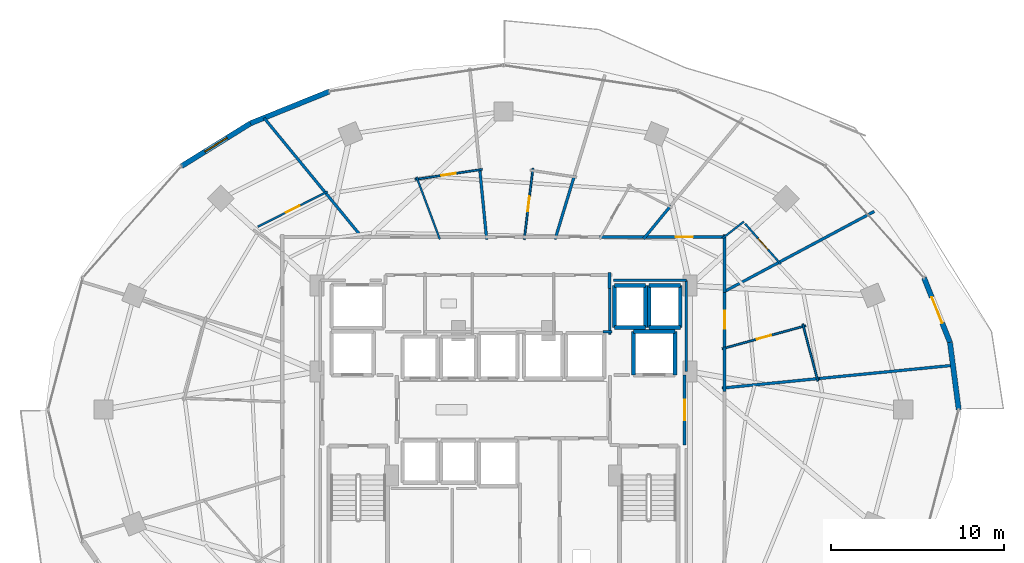
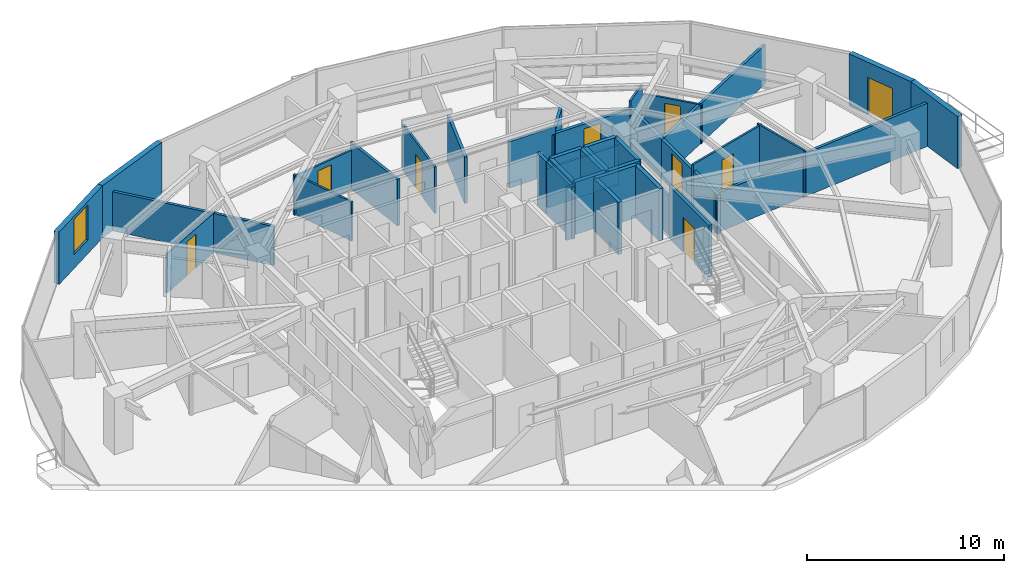
# One storey, part 25 of 29: 41 walls, 9 doors, 1 window, 10 openings.
"""IFC4 building model written with IfcOpenShell, lengths in metres."""

from ifc_helpers import new_model, si_unit, direction, frame, frame_2d, origin, place, context, subcontext, project, spatial, rectangle, extrude, material, layer, layer_set, type_object, element, fill, save


model = new_model("IFC4")

# Units and contexts
model_context = context("Model", 3, precision=1e-05, world=origin(), true_north=direction((0.0, 1.0)))
body_context = subcontext(model_context, "Body", "Model", "MODEL_VIEW")
ifc_project = project(units=[si_unit("LENGTHUNIT", "METRE"), si_unit("AREAUNIT", "SQUARE_METRE"), si_unit("VOLUMEUNIT", "CUBIC_METRE"), si_unit("PLANEANGLEUNIT", "RADIAN"), si_unit("MASSUNIT", "GRAM", prefix="KILO")], contexts=[model_context])

# Site, building, storey
site_placement = place(None, origin())
site = spatial("IfcSite", under=ifc_project, at=site_placement, CompositionType="ELEMENT")
building_placement = place(site_placement, origin())
building = spatial("IfcBuilding", under=site, at=building_placement, Name="Vorneva Point Tower", CompositionType="ELEMENT")
storey_placement = place(building_placement, frame((0.0, 0.0, 117.300048828125)))
storey = spatial("IfcBuildingStorey", under=building, at=storey_placement, Name="L31", CompositionType="ELEMENT", Elevation=117.300048828125)

# Walls
ifc_material_1 = material(Name="Concrete B60 (C50/60)", Category="concrete")
ifc_layer_1 = layer(ifc_material_1, 0.5)
ifc_layer_set_1 = layer_set([ifc_layer_1], Name="Concrete B60 (C50/60)")
wall_type_1 = type_object("IfcWallType", Name="WL-CORE-500", PredefinedType="SHEAR", material=ifc_layer_set_1)
wall_1_placement = place(storey_placement, frame((47.89990234375, 28.0, 0.0), z_axis=(0.0, 0.0, 1.0), x_axis=(0.0, 1.0, 0.0)))
element("IfcWall", 1, at=wall_1_placement, inside=storey, type_object=wall_type_1, Name="L31 Lift FFL2 Shaft Wall +X", PredefinedType="SHEAR", context=body_context, shape_type="SweptSolid", body=[
    extrude(rectangle(XDim=2.5, YDim=0.219970703125, at=frame_2d((1.25, 0.0))), origin(), (0.0, 0.0, 1.0), 3.239990234375),
])
wall_2_placement = place(storey_placement, frame((47.89990234375, 30.5, 0.0), z_axis=(0.0, 0.0, 1.0), x_axis=(-1.0, 0.0, 0.0)))
element("IfcWall", 2, at=wall_2_placement, inside=storey, type_object=wall_type_1, Name="L31 Lift FFL2 Shaft Wall +Y", PredefinedType="SHEAR", context=body_context, shape_type="SweptSolid", body=[
    extrude(rectangle(XDim=2.39990234375, YDim=0.219970703125, at=frame_2d((1.199951171875, 0.0))), origin(), (0.0, 0.0, 1.0), 3.239990234375),
])
wall_3_placement = place(storey_placement, frame((45.5, 30.5, 0.0), z_axis=(0.0, 0.0, 1.0), x_axis=(0.0, -1.0, 0.0)))
element("IfcWall", 3, at=wall_3_placement, inside=storey, type_object=wall_type_1, Name="L31 Lift FFL2 Shaft Wall -X", PredefinedType="SHEAR", context=body_context, shape_type="SweptSolid", body=[
    extrude(rectangle(XDim=2.5, YDim=0.219970703125, at=frame_2d((1.25, 0.0))), origin(), (0.0, 0.0, 1.0), 3.239990234375),
])
ifc_material_2 = material(Name="Precast concrete B50 (C40/50)", Category="concrete")
ifc_layer_2 = layer(ifc_material_2, 0.300048828125)
ifc_layer_set_2 = layer_set([ifc_layer_2], Name="Precast concrete B50 (C40/50)")
wall_type_2 = type_object("IfcWallType", Name="WL-EXT-300", PredefinedType="STANDARD", material=ifc_layer_set_2)
wall_4_placement = place(storey_placement, frame((64.25, 26.0, 0.0), z_axis=(0.0, 0.0, 1.0), x_axis=(-0.129157444793, 0.991624099372, 0.0)))
element("IfcWall", 4, at=wall_4_placement, inside=storey, type_object=wall_type_2, Name="L31 Pale-Metal Facade Spandrel Wall 01.1", PredefinedType="STANDARD", context=body_context, shape_type="SweptSolid", body=[
    extrude(rectangle(XDim=3.9052734375, YDim=0.300048828125, at=frame_2d((1.95263671875, 0.0))), origin(), (0.0, 0.0, 1.0), 3.239990234375),
])

# Wall, opening, door
wall_5_placement = place(storey_placement, frame((63.74560546875, 29.87255859375, 0.0), z_axis=(0.0, 0.0, 1.0), x_axis=(-0.372345205928, 0.92809430966, 0.0)))
wall_5 = element("IfcWall", 5, at=wall_5_placement, inside=storey, type_object=wall_type_2, Name="L31 Pale-Metal Facade Spandrel Wall 01.2", PredefinedType="STANDARD", context=body_context, shape_type="SweptSolid", body=[
    extrude(rectangle(XDim=4.01220703125, YDim=0.300048828125, at=frame_2d((2.006103515625, 0.0))), origin(), (0.0, 0.0, 1.0), 3.239990234375),
])
opening_1_placement = place(wall_5_placement, frame((1.2060546875, 0.0, 0.0)))
opening_1 = element("IfcOpeningElement", 6, at=opening_1_placement, cuts=wall_5, Name="Opening BD-01", PredefinedType="OPENING", context=body_context, shape_type="SweptSolid", body=[
    extrude(rectangle(XDim=1.60009765625, YDim=2.300048828125, at=frame_2d((0.800048828125, 1.14990234375))), frame((0.0, 0.1650390625, 0.0), z_axis=(0.0, -1.0, 0.0), x_axis=(1.0, 0.0, 0.0)), (0.0, 0.0, 1.0), 0.329833984375),
])
ifc_material_3 = material(Name="Pale anodised aluminium", Category="aluminium")
door_type_1 = type_object("IfcDoorType", Name="DR-BAL-1600", OperationType="SLIDING_TO_LEFT", PredefinedType="DOOR", material=ifc_material_3)
door_1_placement = place(opening_1_placement, origin())
door_1 = element("IfcDoor", 7, at=door_1_placement, inside=storey, type_object=door_type_1, Name="L31 Balcony Terrace Access Door 01", OperationType="SLIDING_TO_LEFT", OverallHeight=2.300048828125, OverallWidth=1.60009765625, PredefinedType="DOOR", context=body_context, shape_type="SweptSolid", body=[
    extrude(rectangle(XDim=1.60009765625, YDim=2.300048828125, at=frame_2d((0.800048828125, 1.14990234375))), frame((0.0, 0.02490234375, 0.0), z_axis=(0.0, -1.0, 0.0), x_axis=(1.0, 0.0, 0.0)), (0.0, 0.0, 1.0), 0.050048828125),
])
fill(opening_1, door_1)

# Wall
wall_6_placement = place(storey_placement, frame((27.95458984375, 44.339111328125, 0.0), z_axis=(0.0, 0.0, 1.0), x_axis=(-0.927122233109, -0.374759075775, 0.0)))
element("IfcWall", 8, at=wall_6_placement, inside=storey, type_object=wall_type_2, Name="L31 Pale-Metal Facade Spandrel Wall 06.1", PredefinedType="STANDARD", context=body_context, shape_type="SweptSolid", body=[
    extrude(rectangle(XDim=4.89501953125, YDim=0.300048828125, at=frame_2d((2.447509765625, 0.0))), origin(), (0.0, 0.0, 1.0), 3.239990234375),
])

# Wall, opening, window
wall_7_placement = place(storey_placement, frame((23.416259765625, 42.504638671875, 0.0), z_axis=(0.0, 0.0, 1.0), x_axis=(-0.849684479743, -0.527291461038, 0.0)))
wall_7 = element("IfcWall", 9, at=wall_7_placement, inside=storey, type_object=wall_type_2, Name="L31 Pale-Metal Facade Spandrel Wall 06.2", PredefinedType="STANDARD", context=body_context, shape_type="SweptSolid", body=[
    extrude(rectangle(XDim=4.681396484375, YDim=0.300048828125, at=frame_2d((2.3408203125, 0.0))), origin(), (0.0, 0.0, 1.0), 3.239990234375),
])
opening_2_placement = place(wall_7_placement, frame((1.5908203125, 0.0, 0.85009765625)))
opening_2 = element("IfcOpeningElement", 10, at=opening_2_placement, cuts=wall_7, Name="Opening W-02", PredefinedType="OPENING", context=body_context, shape_type="SweptSolid", body=[
    extrude(rectangle(XDim=1.5, YDim=2.18994140625, at=frame_2d((0.75, 1.094970703125))), frame((0.0, 0.1650390625, 0.0), z_axis=(0.0, -1.0, 0.0), x_axis=(1.0, 0.0, 0.0)), (0.0, 0.0, 1.0), 0.329833984375),
])
ifc_material_4 = material(Name="Double low-e laminated glass IGU", Category="glass")
window_type = type_object("IfcWindowType", Name="WN-HTL-1500", PartitioningType="SINGLE_PANEL", PredefinedType="WINDOW", material=ifc_material_4)
window_placement = place(opening_2_placement, origin())
window = element("IfcWindow", 11, at=window_placement, inside=storey, type_object=window_type, Name="L31 Facade Window 06", OverallHeight=2.18994140625, OverallWidth=1.5, PartitioningType="SINGLE_PANEL", PredefinedType="WINDOW", context=body_context, shape_type="SweptSolid", body=[
    extrude(rectangle(XDim=1.5, YDim=2.18994140625, at=frame_2d((0.75, 1.094970703125))), frame((0.0, 0.030029296875, 0.0), z_axis=(0.0, -1.0, 0.0), x_axis=(1.0, 0.0, 0.0)), (0.0, 0.0, 1.0), 0.06005859375),
])
fill(opening_2, window)

# Wall
ifc_material_5 = material(Name="Fire-rated acoustic gypsum stud partition", Category="gypsum")
ifc_layer_3 = layer(ifc_material_5, 0.110107421875)
ifc_layer_set_3 = layer_set([ifc_layer_3], Name="Fire-rated acoustic gypsum stud partition")
wall_type_3 = type_object("IfcWallType", Name="WL-PART-110", PredefinedType="PARTITIONING", material=ifc_layer_set_3)
wall_8_placement = place(storey_placement, frame((55.260498046875, 30.9404296875, 0.0), z_axis=(0.0, 0.0, 1.0), x_axis=(0.254323935255, -0.967119090886, 0.0)))
element("IfcWall", 12, at=wall_8_placement, inside=storey, type_object=wall_type_3, Name="L31 Interior Partition 050", PredefinedType="PARTITIONING", context=body_context, shape_type="SweptSolid", body=[
    extrude(rectangle(XDim=3.406005859375, YDim=0.110107421875, at=frame_2d((1.703125, 0.0))), origin(), (0.0, 0.0, 1.0), 2.928955078125),
])

# Wall, opening, door
wall_9_placement = place(storey_placement, frame((50.614990234375, 29.50439453125, 0.0), z_axis=(0.0, 0.0, 1.0), x_axis=(0.963498313434, 0.267714400078, 0.0)))
wall_9 = element("IfcWall", 13, at=wall_9_placement, inside=storey, type_object=wall_type_3, Name="L31 Interior Partition 051", PredefinedType="PARTITIONING", context=body_context, shape_type="SweptSolid", body=[
    extrude(rectangle(XDim=4.998291015625, YDim=0.110107421875, at=frame_2d((2.4990234375, 0.0))), origin(), (0.0, 0.0, 1.0), 2.8740234375),
])
opening_3_placement = place(wall_9_placement, frame((2.07421875, 0.0, 0.0)))
opening_3 = element("IfcOpeningElement", 14, at=opening_3_placement, cuts=wall_9, Name="Opening ID-02", PredefinedType="OPENING", context=body_context, shape_type="SweptSolid", body=[
    extrude(rectangle(XDim=0.85009765625, YDim=2.10009765625, at=frame_2d((0.425048828125, 1.050048828125))), frame((0.0, 0.06982421875, 0.0), z_axis=(0.0, -1.0, 0.0), x_axis=(1.0, 0.0, 0.0)), (0.0, 0.0, 1.0), 0.139892578125),
])
ifc_material_6 = material(Name="Engineered oak fire-rated door leaf", Category="wood")
door_type_2 = type_object("IfcDoorType", Name="DR-BATH-850", OperationType="NOTDEFINED", PredefinedType="DOOR", material=ifc_material_6)
door_2_placement = place(opening_3_placement, origin())
door_2 = element("IfcDoor", 15, at=door_2_placement, inside=storey, type_object=door_type_2, Name="L31 Door Junior Suite L31-01 / En-Suite Bathroom L31-01", OperationType="SINGLE_SWING_LEFT", OverallHeight=2.10009765625, OverallWidth=0.85009765625, PredefinedType="DOOR", context=body_context, shape_type="SweptSolid", body=[
    extrude(rectangle(XDim=0.85009765625, YDim=2.10009765625, at=frame_2d((0.425048828125, 1.050048828125))), frame((0.0, 0.02490234375, 0.0), z_axis=(0.0, -1.0, 0.0), x_axis=(1.0, 0.0, 0.0)), (0.0, 0.0, 1.0), 0.050048828125),
])
fill(opening_3, door_2)

wall_10_placement = place(storey_placement, frame((51.936279296875, 36.7138671875, 0.0), z_axis=(0.0, 0.0, 1.0), x_axis=(0.662322264705, -0.749219071885, 0.0)))
wall_10 = element("IfcWall", 16, at=wall_10_placement, inside=storey, type_object=wall_type_3, Name="L31 Interior Partition 055", PredefinedType="PARTITIONING", context=body_context, shape_type="SweptSolid", body=[
    extrude(rectangle(XDim=3.098876953125, YDim=0.110107421875, at=frame_2d((1.54931640625, 0.0))), origin(), (0.0, 0.0, 1.0), 2.431884765625),
])
opening_4_placement = place(wall_10_placement, frame((1.12451171875, 0.0, 0.0)))
opening_4 = element("IfcOpeningElement", 17, at=opening_4_placement, cuts=wall_10, Name="Opening ID-02", PredefinedType="OPENING", context=body_context, shape_type="SweptSolid", body=[
    extrude(rectangle(XDim=0.85009765625, YDim=2.10009765625, at=frame_2d((0.425048828125, 1.050048828125))), frame((0.0, 0.06982421875, 0.0), z_axis=(0.0, -1.0, 0.0), x_axis=(1.0, 0.0, 0.0)), (0.0, 0.0, 1.0), 0.139892578125),
])
door_3_placement = place(opening_4_placement, origin())
door_3 = element("IfcDoor", 18, at=door_3_placement, inside=storey, type_object=door_type_2, Name="L31 Door King Guest Room L31-02 / En-Suite Bathroom L31-02", OperationType="SINGLE_SWING_RIGHT", OverallHeight=2.10009765625, OverallWidth=0.85009765625, PredefinedType="DOOR", context=body_context, shape_type="SweptSolid", body=[
    extrude(rectangle(XDim=0.85009765625, YDim=2.10009765625, at=frame_2d((0.425048828125, 1.050048828125))), frame((0.0, 0.02490234375, 0.0), z_axis=(0.0, -1.0, 0.0), x_axis=(1.0, 0.0, 0.0)), (0.0, 0.0, 1.0), 0.050048828125),
])
fill(opening_4, door_3)

# Wall
wall_11_placement = place(storey_placement, frame((50.61376953125, 35.86376953125, 0.0), z_axis=(0.0, 0.0, 1.0), x_axis=(0.787635392766, 0.616141613643, 0.0)))
element("IfcWall", 19, at=wall_11_placement, inside=storey, type_object=wall_type_3, Name="L31 Interior Partition 056", PredefinedType="PARTITIONING", context=body_context, shape_type="SweptSolid", body=[
    extrude(rectangle(XDim=1.580322265625, YDim=0.110107421875, at=frame_2d((0.7900390625, 0.0))), origin(), (0.0, 0.0, 1.0), 2.928955078125),
])

# Wall, opening, door
wall_12_placement = place(storey_placement, frame((39.199951171875, 35.81103515625, 0.0), z_axis=(0.0, 0.0, 1.0), x_axis=(0.121465313896, 0.992595676759, 0.0)))
wall_12 = element("IfcWall", 20, at=wall_12_placement, inside=storey, type_object=wall_type_3, Name="L31 Interior Partition 063", PredefinedType="PARTITIONING", context=body_context, shape_type="SweptSolid", body=[
    extrude(rectangle(XDim=4.140625, YDim=0.110107421875, at=frame_2d((2.0703125, 0.0))), origin(), (0.0, 0.0, 1.0), 2.8740234375),
])
opening_5_placement = place(wall_12_placement, frame((1.645263671875, 0.0, 0.0)))
opening_5 = element("IfcOpeningElement", 21, at=opening_5_placement, cuts=wall_12, Name="Opening ID-02", PredefinedType="OPENING", context=body_context, shape_type="SweptSolid", body=[
    extrude(rectangle(XDim=0.85009765625, YDim=2.10009765625, at=frame_2d((0.425048828125, 1.050048828125))), frame((0.0, 0.06982421875, 0.0), z_axis=(0.0, -1.0, 0.0), x_axis=(1.0, 0.0, 0.0)), (0.0, 0.0, 1.0), 0.139892578125),
])
door_4_placement = place(opening_5_placement, origin())
door_4 = element("IfcDoor", 22, at=door_4_placement, inside=storey, type_object=door_type_2, Name="L31 Door Deluxe Guest Room L31-04 / En-Suite Bathroom L31-04", OperationType="SINGLE_SWING_RIGHT", OverallHeight=2.10009765625, OverallWidth=0.85009765625, PredefinedType="DOOR", context=body_context, shape_type="SweptSolid", body=[
    extrude(rectangle(XDim=0.85009765625, YDim=2.10009765625, at=frame_2d((0.425048828125, 1.050048828125))), frame((0.0, 0.02490234375, 0.0), z_axis=(0.0, -1.0, 0.0), x_axis=(1.0, 0.0, 0.0)), (0.0, 0.0, 1.0), 0.050048828125),
])
fill(opening_5, door_4)

# Wall
wall_13_placement = place(storey_placement, frame((34.333984375, 35.81884765625, 0.0), z_axis=(0.0, 0.0, 1.0), x_axis=(-0.349780170638, 0.93683180573, 0.0)))
element("IfcWall", 23, at=wall_13_placement, inside=storey, type_object=wall_type_3, Name="L31 Interior Partition 067", PredefinedType="PARTITIONING", context=body_context, shape_type="SweptSolid", body=[
    extrude(rectangle(XDim=3.84521484375, YDim=0.110107421875, at=frame_2d((1.922607421875, 0.0))), origin(), (0.0, 0.0, 1.0), 2.431884765625),
])

# Wall, opening, door
wall_14_placement = place(storey_placement, frame((32.899658203125, 39.269287109375, 0.0), z_axis=(0.0, 0.0, 1.0), x_axis=(0.988898406133, 0.148593210973, 0.0)))
wall_14 = element("IfcWall", 24, at=wall_14_placement, inside=storey, type_object=wall_type_3, Name="L31 Interior Partition 068", PredefinedType="PARTITIONING", context=body_context, shape_type="SweptSolid", body=[
    extrude(rectangle(XDim=3.920166015625, YDim=0.110107421875, at=frame_2d((1.9599609375, 0.0))), origin(), (0.0, 0.0, 1.0), 2.431884765625),
])
opening_6_placement = place(wall_14_placement, frame((1.53515625, 0.0, 0.0)))
opening_6 = element("IfcOpeningElement", 25, at=opening_6_placement, cuts=wall_14, Name="Opening ID-02", PredefinedType="OPENING", context=body_context, shape_type="SweptSolid", body=[
    extrude(rectangle(XDim=0.85009765625, YDim=2.10009765625, at=frame_2d((0.425048828125, 1.050048828125))), frame((0.0, 0.06982421875, 0.0), z_axis=(0.0, -1.0, 0.0), x_axis=(1.0, 0.0, 0.0)), (0.0, 0.0, 1.0), 0.139892578125),
])
door_5_placement = place(opening_6_placement, origin())
door_5 = element("IfcDoor", 26, at=door_5_placement, inside=storey, type_object=door_type_2, Name="L31 Door Executive Suite L31-05 / En-Suite Bathroom L31-05", OperationType="SINGLE_SWING_LEFT", OverallHeight=2.10009765625, OverallWidth=0.85009765625, PredefinedType="DOOR", context=body_context, shape_type="SweptSolid", body=[
    extrude(rectangle(XDim=0.85009765625, YDim=2.10009765625, at=frame_2d((0.425048828125, 1.050048828125))), frame((0.0, 0.02490234375, 0.0), z_axis=(0.0, -1.0, 0.0), x_axis=(1.0, 0.0, 0.0)), (0.0, 0.0, 1.0), 0.050048828125),
])
fill(opening_6, door_5)

wall_15_placement = place(storey_placement, frame((23.845947265625, 36.5458984375, 0.0), z_axis=(0.0, 0.0, 1.0), x_axis=(0.892540033684, 0.450968167692, 0.0)))
wall_15 = element("IfcWall", 27, at=wall_15_placement, inside=storey, type_object=wall_type_3, Name="L31 Interior Partition 070", PredefinedType="PARTITIONING", context=body_context, shape_type="SweptSolid", body=[
    extrude(rectangle(XDim=4.494873046875, YDim=0.110107421875, at=frame_2d((2.24755859375, 0.0))), origin(), (0.0, 0.0, 1.0), 2.431884765625),
])
opening_7_placement = place(wall_15_placement, frame((1.822509765625, 0.0, 0.0)))
opening_7 = element("IfcOpeningElement", 28, at=opening_7_placement, cuts=wall_15, Name="Opening ID-02", PredefinedType="OPENING", context=body_context, shape_type="SweptSolid", body=[
    extrude(rectangle(XDim=0.85009765625, YDim=2.10009765625, at=frame_2d((0.425048828125, 1.050048828125))), frame((0.0, 0.06982421875, 0.0), z_axis=(0.0, -1.0, 0.0), x_axis=(1.0, 0.0, 0.0)), (0.0, 0.0, 1.0), 0.139892578125),
])
door_6_placement = place(opening_7_placement, origin())
door_6 = element("IfcDoor", 29, at=door_6_placement, inside=storey, type_object=door_type_2, Name="L31 Door Corner Suite L31-06 / En-Suite Bathroom L31-06", OperationType="SINGLE_SWING_RIGHT", OverallHeight=2.10009765625, OverallWidth=0.85009765625, PredefinedType="DOOR", context=body_context, shape_type="SweptSolid", body=[
    extrude(rectangle(XDim=0.85009765625, YDim=2.10009765625, at=frame_2d((0.425048828125, 1.050048828125))), frame((0.0, 0.02490234375, 0.0), z_axis=(0.0, -1.0, 0.0), x_axis=(1.0, 0.0, 0.0)), (0.0, 0.0, 1.0), 0.050048828125),
])
fill(opening_7, door_6)

# Walls
ifc_layer_4 = layer(ifc_material_5, 0.139892578125)
ifc_layer_set_4 = layer_set([ifc_layer_4], Name="Fire-rated acoustic gypsum stud partition")
wall_type_4 = type_object("IfcWallType", Name="WL-PART-140", PredefinedType="PARTITIONING", material=ifc_layer_set_4)
wall_16_placement = place(storey_placement, frame((43.735107421875, 30.47998046875, 0.0), z_axis=(0.0, 0.0, 1.0), x_axis=(1.0, 0.0, 0.0)))
element("IfcWall", 30, at=wall_16_placement, inside=storey, type_object=wall_type_4, Name="L31 Interior Closure Partition 095", PredefinedType="PARTITIONING", context=body_context, shape_type="SweptSolid", body=[
    extrude(rectangle(XDim=0.52490234375, YDim=0.139892578125, at=frame_2d((0.262451171875, 0.0))), origin(), (0.0, 0.0, 1.0), 3.239990234375),
])
wall_17_placement = place(storey_placement, frame((44.1201171875, 30.340087890625, 0.0), z_axis=(0.0, 0.0, 1.0), x_axis=(0.0, 1.0, 0.0)))
element("IfcWall", 31, at=wall_17_placement, inside=storey, type_object=wall_type_4, Name="L31 Interior Closure Partition 096", PredefinedType="PARTITIONING", context=body_context, shape_type="SweptSolid", body=[
    extrude(rectangle(XDim=2.659912109375, YDim=0.139892578125, at=frame_2d((1.330078125, 0.0))), origin(), (0.0, 0.0, 1.0), 3.239990234375),
])
wall_18_placement = place(storey_placement, frame((44.340087890625, 33.449951171875, 0.0), z_axis=(0.0, 0.0, 1.0), x_axis=(1.0, 0.0, 0.0)))
element("IfcWall", 32, at=wall_18_placement, inside=storey, type_object=wall_type_4, Name="L31 Interior Closure Partition 099", PredefinedType="PARTITIONING", context=body_context, shape_type="SweptSolid", body=[
    extrude(rectangle(XDim=4.2099609375, YDim=0.139892578125, at=frame_2d((2.10498046875, 0.0))), origin(), (0.0, 0.0, 1.0), 2.431884765625),
])
wall_19_placement = place(storey_placement, frame((48.550048828125, 33.449951171875, 0.0), z_axis=(0.0, 0.0, 1.0), x_axis=(0.0, -1.0, 0.0)))
element("IfcWall", 33, at=wall_19_placement, inside=storey, type_object=wall_type_4, Name="L31 Interior Closure Partition 100", PredefinedType="PARTITIONING", context=body_context, shape_type="SweptSolid", body=[
    extrude(rectangle(XDim=5.25390625, YDim=0.139892578125, at=frame_2d((2.626953125, 0.0))), origin(), (0.0, 0.0, 1.0), 2.431884765625),
])
ifc_layer_5 = layer(ifc_material_5, 0.159912109375)
ifc_layer_set_5 = layer_set([ifc_layer_5], Name="Fire-rated acoustic gypsum stud partition")
wall_type_5 = type_object("IfcWallType", Name="WL-PART-160", PredefinedType="PARTITIONING", material=ifc_layer_set_5)
wall_20_placement = place(storey_placement, frame((59.384033203125, 37.429931640625, 0.0), z_axis=(0.0, 0.0, 1.0), x_axis=(-0.881921122551, -0.471397002109, 0.0)))
element("IfcWall", 34, at=wall_20_placement, inside=storey, type_object=wall_type_5, Name="L31 Interior Partition 052", PredefinedType="PARTITIONING", context=body_context, shape_type="SweptSolid", body=[
    extrude(rectangle(XDim=9.7900390625, YDim=0.159912109375, at=frame_2d((4.89501953125, 0.0))), origin(), (0.0, 0.0, 1.0), 2.431884765625),
])
wall_21_placement = place(storey_placement, frame((56.091064453125, 27.781982421875, 0.0), z_axis=(0.0, 0.0, 1.0), x_axis=(0.995182127762, 0.098043523927, 0.0)))
element("IfcWall", 35, at=wall_21_placement, inside=storey, type_object=wall_type_5, Name="L31 Interior Partition 053", PredefinedType="PARTITIONING", context=body_context, shape_type="SweptSolid", body=[
    extrude(rectangle(XDim=7.86376953125, YDim=0.159912109375, at=frame_2d((3.931884765625, 0.0))), origin(), (0.0, 0.0, 1.0), 2.677001953125),
])
wall_22_placement = place(storey_placement, frame((50.610595703125, 27.2421875, 0.0), z_axis=(0.0, 0.0, 1.0), x_axis=(0.995185043486, 0.098013923607, 0.0)))
element("IfcWall", 36, at=wall_22_placement, inside=storey, type_object=wall_type_5, Name="L31 Interior Partition 054", PredefinedType="PARTITIONING", context=body_context, shape_type="SweptSolid", body=[
    extrude(rectangle(XDim=5.646728515625, YDim=0.159912109375, at=frame_2d((2.8232421875, 0.0))), origin(), (0.0, 0.0, 1.0), 2.431884765625),
])
wall_23_placement = place(storey_placement, frame((47.65478515625, 37.764404296875, 0.0), z_axis=(0.0, 0.0, 1.0), x_axis=(-0.634343688691, -0.773051152653, 0.0)))
element("IfcWall", 37, at=wall_23_placement, inside=storey, type_object=wall_type_5, Name="L31 Interior Partition 058", PredefinedType="PARTITIONING", context=body_context, shape_type="SweptSolid", body=[
    extrude(rectangle(XDim=2.487060546875, YDim=0.159912109375, at=frame_2d((1.24365234375, 0.0))), origin(), (0.0, 0.0, 1.0), 2.431884765625),
])
wall_24_placement = place(storey_placement, frame((42.0947265625, 39.498779296875, 0.0), z_axis=(0.0, 0.0, 1.0), x_axis=(-0.290343654158, -0.956922443299, 0.0)))
element("IfcWall", 38, at=wall_24_placement, inside=storey, type_object=wall_type_5, Name="L31 Interior Partition 062", PredefinedType="PARTITIONING", context=body_context, shape_type="SweptSolid", body=[
    extrude(rectangle(XDim=3.8486328125, YDim=0.159912109375, at=frame_2d((1.92431640625, 0.0))), origin(), (0.0, 0.0, 1.0), 2.8740234375),
])
wall_25_placement = place(storey_placement, frame((36.630126953125, 39.910400390625, 0.0), z_axis=(0.0, 0.0, 1.0), x_axis=(0.097966212623, -0.995189741298, 0.0)))
element("IfcWall", 39, at=wall_25_placement, inside=storey, type_object=wall_type_5, Name="L31 Interior Partition 066", PredefinedType="PARTITIONING", context=body_context, shape_type="SweptSolid", body=[
    extrude(rectangle(XDim=4.119384765625, YDim=0.159912109375, at=frame_2d((2.0595703125, 0.0))), origin(), (0.0, 0.0, 1.0), 2.8740234375),
])
wall_26_placement = place(storey_placement, frame((24.197998046875, 42.818115234375, 0.0), z_axis=(0.0, 0.0, 1.0), x_axis=(0.634354930471, -0.773041927833, 0.0)))
element("IfcWall", 40, at=wall_26_placement, inside=storey, type_object=wall_type_5, Name="L31 Interior Partition 069", PredefinedType="PARTITIONING", context=body_context, shape_type="SweptSolid", body=[
    extrude(rectangle(XDim=8.884521484375, YDim=0.159912109375, at=frame_2d((4.4423828125, 0.0))), origin(), (0.0, 0.0, 1.0), 2.431884765625),
])

# Wall, opening, door
ifc_material_7 = material(Name="Autoclaved aerated concrete blockwork", Category="masonry")
ifc_layer_6 = layer(ifc_material_7, 0.179931640625)
ifc_layer_set_6 = layer_set([ifc_layer_6], Name="Autoclaved aerated concrete blockwork")
wall_type_6 = type_object("IfcWallType", Name="WL-PART-180", PredefinedType="PARTITIONING", material=ifc_layer_set_6)
wall_27_placement = place(storey_placement, frame((48.449951171875, 23.949951171875, 0.0), z_axis=(0.0, 0.0, 1.0), x_axis=(0.0, 1.0, 0.0)))
wall_27 = element("IfcWall", 41, at=wall_27_placement, inside=storey, type_object=wall_type_6, Name="L31 Interior Partition 005", PredefinedType="PARTITIONING", context=body_context, shape_type="SweptSolid", body=[
    extrude(rectangle(XDim=4.050048828125, YDim=0.179931640625, at=frame_2d((2.02490234375, 0.0))), origin(), (0.0, 0.0, 1.0), 3.239990234375),
])
opening_8_placement = place(wall_27_placement, frame((1.425048828125, 0.0, 0.0)))
opening_8 = element("IfcOpeningElement", 42, at=opening_8_placement, cuts=wall_27, Name="Opening FD-02", PredefinedType="OPENING", context=body_context, shape_type="SweptSolid", body=[
    extrude(rectangle(XDim=1.199951171875, YDim=2.14990234375, at=frame_2d((0.60009765625, 1.074951171875))), frame((0.0, 0.10498046875, 0.0), z_axis=(0.0, -1.0, 0.0), x_axis=(1.0, 0.0, 0.0)), (0.0, 0.0, 1.0), 0.209716796875),
])
ifc_material_8 = material(Name="Fire-rated powder-coated steel", Category="steel")
door_type_3 = type_object("IfcDoorType", Name="DR-FFL-1200", OperationType="NOTDEFINED", PredefinedType="DOOR", material=ifc_material_8)
door_7_placement = place(opening_8_placement, origin())
door_7 = element("IfcDoor", 43, at=door_7_placement, inside=storey, type_object=door_type_3, Name="L31 Door East Firefighting Lobby / L31 Circulation Corridor", OperationType="SINGLE_SWING_LEFT", OverallHeight=2.14990234375, OverallWidth=1.199951171875, PredefinedType="DOOR", context=body_context, shape_type="SweptSolid", body=[
    extrude(rectangle(XDim=1.199951171875, YDim=2.14990234375, at=frame_2d((0.60009765625, 1.074951171875))), frame((0.0, 0.02490234375, 0.0), z_axis=(0.0, -1.0, 0.0), x_axis=(1.0, 0.0, 0.0)), (0.0, 0.0, 1.0), 0.050048828125),
])
fill(opening_8, door_7)

# Wall
wall_28_placement = place(storey_placement, frame((44.1201171875, 32.969970703125, 0.0), z_axis=(0.0, 0.0, 1.0), x_axis=(0.0, 1.0, 0.0)))
element("IfcWall", 44, at=wall_28_placement, inside=storey, type_object=wall_type_6, Name="L31 Interior Partition 020", PredefinedType="PARTITIONING", context=body_context, shape_type="SweptSolid", body=[
    extrude(rectangle(XDim=0.929931640625, YDim=0.179931640625, at=frame_2d((0.46484375, 0.0))), origin(), (0.0, 0.0, 1.0), 3.239990234375),
])

# Wall, opening, door
wall_29_placement = place(storey_placement, frame((50.75, 29.48193359375, 0.0), z_axis=(0.0, 0.0, 1.0), x_axis=(0.0, 1.0, 0.0)))
wall_29 = element("IfcWall", 45, at=wall_29_placement, inside=storey, type_object=wall_type_6, Name="L31 Interior Partition 024", PredefinedType="PARTITIONING", context=body_context, shape_type="SweptSolid", body=[
    extrude(rectangle(XDim=3.401123046875, YDim=0.179931640625, at=frame_2d((1.70068359375, 0.0))), origin(), (0.0, 0.0, 1.0), 2.431884765625),
])
opening_9_placement = place(wall_29_placement, frame((1.175537109375, 0.0, 0.0)))
opening_9 = element("IfcOpeningElement", 46, at=opening_9_placement, cuts=wall_29, Name="Opening UD-02", PredefinedType="OPENING", context=body_context, shape_type="SweptSolid", body=[
    extrude(rectangle(XDim=1.050048828125, YDim=2.199951171875, at=frame_2d((0.52490234375, 1.10009765625))), frame((0.0, 0.10498046875, 0.0), z_axis=(0.0, -1.0, 0.0), x_axis=(1.0, 0.0, 0.0)), (0.0, 0.0, 1.0), 0.209716796875),
])
door_type_4 = type_object("IfcDoorType", Name="DR-SUITE-1050", OperationType="NOTDEFINED", PredefinedType="DOOR", material=ifc_material_6)
door_8_placement = place(opening_9_placement, origin())
door_8 = element("IfcDoor", 47, at=door_8_placement, inside=storey, type_object=door_type_4, Name="L31 Door L31 Circulation Corridor / Junior Suite L31-01", OperationType="SINGLE_SWING_RIGHT", OverallHeight=2.199951171875, OverallWidth=1.050048828125, PredefinedType="DOOR", context=body_context, shape_type="SweptSolid", body=[
    extrude(rectangle(XDim=1.050048828125, YDim=2.199951171875, at=frame_2d((0.52490234375, 1.10009765625))), frame((0.0, 0.02490234375, 0.0), z_axis=(0.0, -1.0, 0.0), x_axis=(1.0, 0.0, 0.0)), (0.0, 0.0, 1.0), 0.050048828125),
])
fill(opening_9, door_8)

# Wall
wall_30_placement = place(storey_placement, frame((50.75, 27.055908203125, 0.0), z_axis=(0.0, 0.0, 1.0), x_axis=(0.0, 1.0, 0.0)))
element("IfcWall", 48, at=wall_30_placement, inside=storey, type_object=wall_type_6, Name="L31 Interior Partition 025", PredefinedType="PARTITIONING", context=body_context, shape_type="SweptSolid", body=[
    extrude(rectangle(XDim=2.566162109375, YDim=0.179931640625, at=frame_2d((1.283203125, 0.0))), origin(), (0.0, 0.0, 1.0), 2.431884765625),
])

# Wall, opening, door
wall_31_placement = place(storey_placement, frame((50.75, 35.949951171875, 0.0), z_axis=(0.0, 0.0, 1.0), x_axis=(-1.0, 0.0, 0.0)))
wall_31 = element("IfcWall", 49, at=wall_31_placement, inside=storey, type_object=wall_type_6, Name="L31 Interior Partition 026", PredefinedType="PARTITIONING", context=body_context, shape_type="SweptSolid", body=[
    extrude(rectangle(XDim=4.64404296875, YDim=0.179931640625, at=frame_2d((2.322021484375, 0.0))), origin(), (0.0, 0.0, 1.0), 2.431884765625),
])
opening_10_placement = place(wall_31_placement, frame((1.822021484375, 0.0, 0.0)))
opening_10 = element("IfcOpeningElement", 50, at=opening_10_placement, cuts=wall_31, Name="Opening UD-01", PredefinedType="OPENING", context=body_context, shape_type="SweptSolid", body=[
    extrude(rectangle(XDim=1.0, YDim=2.14990234375, at=frame_2d((0.5, 1.074951171875))), frame((0.0, 0.10498046875, 0.0), z_axis=(0.0, -1.0, 0.0), x_axis=(1.0, 0.0, 0.0)), (0.0, 0.0, 1.0), 0.209716796875),
])
door_type_5 = type_object("IfcDoorType", Name="DR-UNIT-1000", OperationType="NOTDEFINED", PredefinedType="DOOR", material=ifc_material_6)
door_9_placement = place(opening_10_placement, origin())
door_9 = element("IfcDoor", 51, at=door_9_placement, inside=storey, type_object=door_type_5, Name="L31 Door L31 Circulation Corridor / King Guest Room L31-02", OperationType="SINGLE_SWING_LEFT", OverallHeight=2.14990234375, OverallWidth=1.0, PredefinedType="DOOR", context=body_context, shape_type="SweptSolid", body=[
    extrude(rectangle(XDim=1.0, YDim=2.14990234375, at=frame_2d((0.5, 1.074951171875))), frame((0.0, 0.02490234375, 0.0), z_axis=(0.0, -1.0, 0.0), x_axis=(1.0, 0.0, 0.0)), (0.0, 0.0, 1.0), 0.050048828125),
])
fill(opening_10, door_9)

# Walls
wall_32_placement = place(storey_placement, frame((50.75, 32.742919921875, 0.0), z_axis=(0.0, 0.0, 1.0), x_axis=(0.0, 1.0, 0.0)))
element("IfcWall", 52, at=wall_32_placement, inside=storey, type_object=wall_type_6, Name="L31 Interior Partition 027", PredefinedType="PARTITIONING", context=body_context, shape_type="SweptSolid", body=[
    extrude(rectangle(XDim=3.34716796875, YDim=0.179931640625, at=frame_2d((1.673583984375, 0.0))), origin(), (0.0, 0.0, 1.0), 2.431884765625),
])
wall_33_placement = place(storey_placement, frame((46.24609375, 35.949951171875, 0.0), z_axis=(0.0, 0.0, 1.0), x_axis=(-1.0, 0.0, 0.0)))
element("IfcWall", 53, at=wall_33_placement, inside=storey, type_object=wall_type_6, Name="L31 Interior Partition 029", PredefinedType="PARTITIONING", context=body_context, shape_type="SweptSolid", body=[
    extrude(rectangle(XDim=2.693115234375, YDim=0.179931640625, at=frame_2d((1.3466796875, 0.0))), origin(), (0.0, 0.0, 1.0), 2.8740234375),
])
ifc_material_9 = material(Name="Concrete B50 (C40/50)", Category="concrete")
ifc_layer_7 = layer(ifc_material_9, 0.219970703125)
ifc_layer_set_7 = layer_set([ifc_layer_7], Name="Concrete B50 (C40/50)")
wall_type_7 = type_object("IfcWallType", Name="WL-SHFT-220", PredefinedType="SOLIDWALL", material=ifc_layer_set_7)
wall_34_placement = place(storey_placement, frame((44.39990234375, 30.739990234375, 0.0), z_axis=(0.0, 0.0, 1.0), x_axis=(1.0, 0.0, 0.0)))
element("IfcWall", 54, at=wall_34_placement, inside=storey, type_object=wall_type_7, Name="L31 Lift EX1 Shaft Wall -Y", PredefinedType="SOLIDWALL", context=body_context, shape_type="SweptSolid", body=[
    extrude(rectangle(XDim=1.800048828125, YDim=0.219970703125, at=frame_2d((0.89990234375, 0.0))), origin(), (0.0, 0.0, 1.0), 3.239990234375),
])
wall_35_placement = place(storey_placement, frame((46.199951171875, 30.739990234375, 0.0), z_axis=(0.0, 0.0, 1.0), x_axis=(0.0, 1.0, 0.0)))
element("IfcWall", 55, at=wall_35_placement, inside=storey, type_object=wall_type_7, Name="L31 Lift EX1 Shaft Wall +X", PredefinedType="SOLIDWALL", context=body_context, shape_type="SweptSolid", body=[
    extrude(rectangle(XDim=2.419921875, YDim=0.219970703125, at=frame_2d((1.2099609375, 0.0))), origin(), (0.0, 0.0, 1.0), 3.239990234375),
])
wall_36_placement = place(storey_placement, frame((46.199951171875, 33.159912109375, 0.0), z_axis=(0.0, 0.0, 1.0), x_axis=(-1.0, 0.0, 0.0)))
element("IfcWall", 56, at=wall_36_placement, inside=storey, type_object=wall_type_7, Name="L31 Lift EX1 Shaft Wall +Y", PredefinedType="SOLIDWALL", context=body_context, shape_type="SweptSolid", body=[
    extrude(rectangle(XDim=1.800048828125, YDim=0.219970703125, at=frame_2d((0.89990234375, 0.0))), origin(), (0.0, 0.0, 1.0), 3.239990234375),
])
wall_37_placement = place(storey_placement, frame((44.39990234375, 33.159912109375, 0.0), z_axis=(0.0, 0.0, 1.0), x_axis=(0.0, -1.0, 0.0)))
element("IfcWall", 57, at=wall_37_placement, inside=storey, type_object=wall_type_7, Name="L31 Lift EX1 Shaft Wall -X", PredefinedType="SOLIDWALL", context=body_context, shape_type="SweptSolid", body=[
    extrude(rectangle(XDim=2.419921875, YDim=0.219970703125, at=frame_2d((1.2099609375, 0.0))), origin(), (0.0, 0.0, 1.0), 3.239990234375),
])
wall_38_placement = place(storey_placement, frame((46.39990234375, 30.739990234375, 0.0), z_axis=(0.0, 0.0, 1.0), x_axis=(1.0, 0.0, 0.0)))
element("IfcWall", 58, at=wall_38_placement, inside=storey, type_object=wall_type_7, Name="L31 Lift EX2 Shaft Wall -Y", PredefinedType="SOLIDWALL", context=body_context, shape_type="SweptSolid", body=[
    extrude(rectangle(XDim=1.800048828125, YDim=0.219970703125, at=frame_2d((0.89990234375, 0.0))), origin(), (0.0, 0.0, 1.0), 3.239990234375),
])
wall_39_placement = place(storey_placement, frame((48.199951171875, 30.739990234375, 0.0), z_axis=(0.0, 0.0, 1.0), x_axis=(0.0, 1.0, 0.0)))
element("IfcWall", 59, at=wall_39_placement, inside=storey, type_object=wall_type_7, Name="L31 Lift EX2 Shaft Wall +X", PredefinedType="SOLIDWALL", context=body_context, shape_type="SweptSolid", body=[
    extrude(rectangle(XDim=2.419921875, YDim=0.219970703125, at=frame_2d((1.2099609375, 0.0))), origin(), (0.0, 0.0, 1.0), 3.239990234375),
])
wall_40_placement = place(storey_placement, frame((48.199951171875, 33.159912109375, 0.0), z_axis=(0.0, 0.0, 1.0), x_axis=(-1.0, 0.0, 0.0)))
element("IfcWall", 60, at=wall_40_placement, inside=storey, type_object=wall_type_7, Name="L31 Lift EX2 Shaft Wall +Y", PredefinedType="SOLIDWALL", context=body_context, shape_type="SweptSolid", body=[
    extrude(rectangle(XDim=1.800048828125, YDim=0.219970703125, at=frame_2d((0.89990234375, 0.0))), origin(), (0.0, 0.0, 1.0), 3.239990234375),
])
wall_41_placement = place(storey_placement, frame((46.39990234375, 33.159912109375, 0.0), z_axis=(0.0, 0.0, 1.0), x_axis=(0.0, -1.0, 0.0)))
element("IfcWall", 61, at=wall_41_placement, inside=storey, type_object=wall_type_7, Name="L31 Lift EX2 Shaft Wall -X", PredefinedType="SOLIDWALL", context=body_context, shape_type="SweptSolid", body=[
    extrude(rectangle(XDim=2.419921875, YDim=0.219970703125, at=frame_2d((1.2099609375, 0.0))), origin(), (0.0, 0.0, 1.0), 3.239990234375),
])

save(model, "model.ifc")
